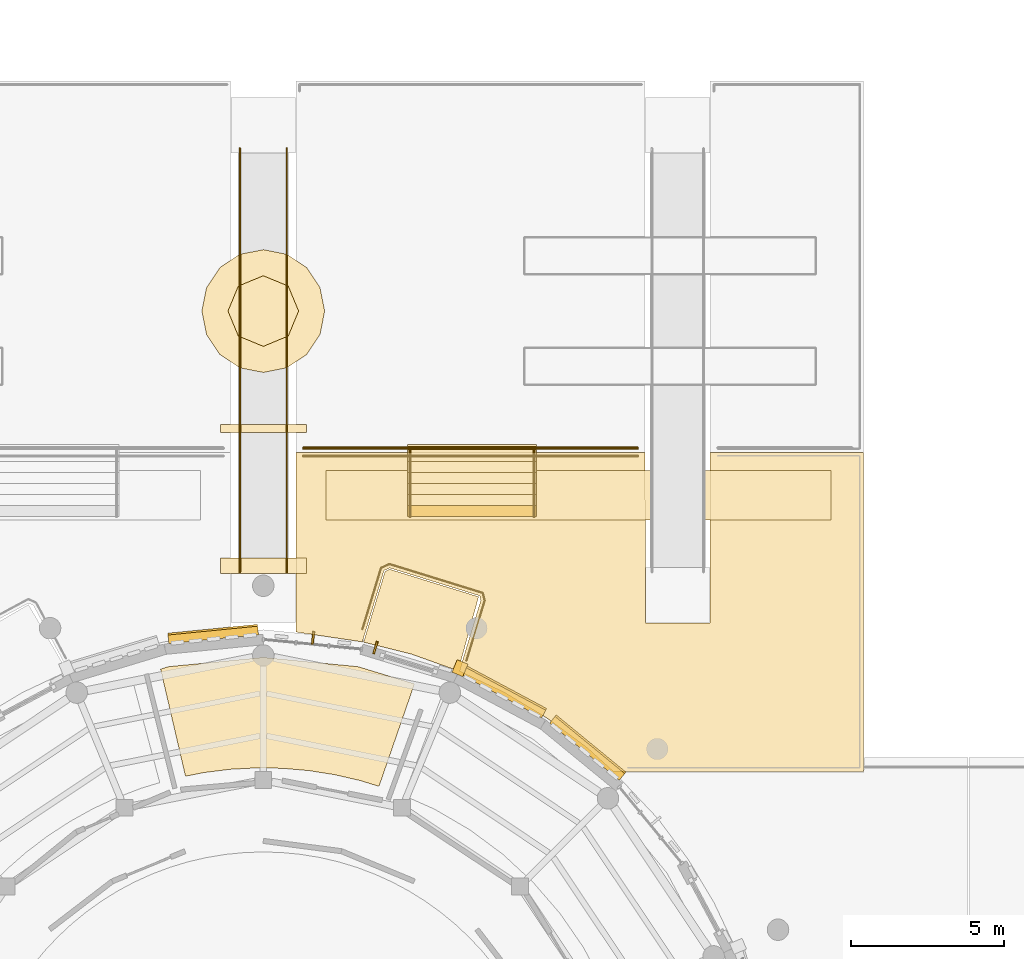
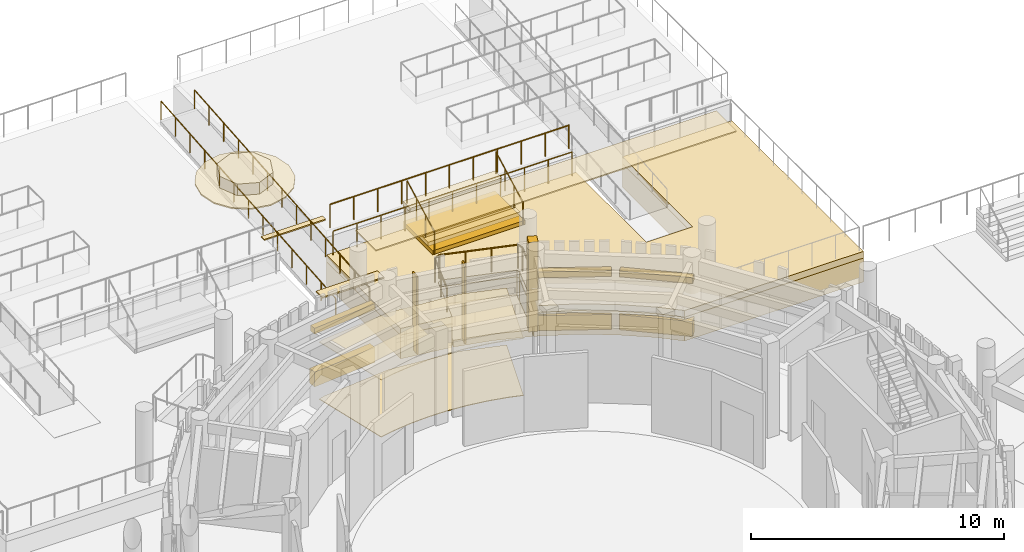
# One storey, part 79 of 94: 23 coverings, 8 railings, 2 shading devices.
"""IFC4 building model written with IfcOpenShell, lengths in metres."""

from ifc_helpers import new_model, si_unit, direction, frame, origin, origin_2d, place, context, subcontext, project, spatial, polyline, rectangle, circle, outline, extrude, material, layer, layer_set, type_object, element, save


model = new_model("IFC4")

# Units and contexts
model_context = context("Model", 3, precision=1e-05, world=origin(), true_north=direction((0.0, 1.0)))
body_context = subcontext(model_context, "Body", "Model", "MODEL_VIEW")
ifc_project = project(units=[si_unit("LENGTHUNIT", "METRE"), si_unit("AREAUNIT", "SQUARE_METRE"), si_unit("VOLUMEUNIT", "CUBIC_METRE"), si_unit("PLANEANGLEUNIT", "RADIAN"), si_unit("MASSUNIT", "GRAM", prefix="KILO")], contexts=[model_context])

# Site, building, storey
site_placement = place(None, origin())
site = spatial("IfcSite", under=ifc_project, at=site_placement, CompositionType="ELEMENT")
building_placement = place(site_placement, origin())
building = spatial("IfcBuilding", under=site, at=building_placement, Name="Aldenvaro Health Centre", CompositionType="ELEMENT")
storey_placement = place(building_placement, origin())
storey = spatial("IfcBuildingStorey", under=building, at=storey_placement, Name="L00", CompositionType="ELEMENT", Elevation=0.0)

# Coverings
ifc_material_1 = material(Name="Perforated Douglas Fir Slatted Ceiling")
ifc_layer_1 = layer(ifc_material_1, 0.031982421875, Name="Perforated Douglas Fir Slatted Ceiling")
ifc_layer_set_1 = layer_set([ifc_layer_1], Name="Perforated Douglas Fir Slatted Ceiling")
covering_type_1 = type_object("IfcCoveringType", Name="COV-CLG-WD32", PredefinedType="CEILING", material=ifc_layer_set_1)
covering_1_placement = place(storey_placement, frame((0.0, 0.0, 2.75)))
element("IfcCovering", 1, at=covering_1_placement, inside=storey, type_object=covering_type_1, Name="D1-L00-R02 Suspended Ceiling", PredefinedType="CEILING", context=body_context, shape_type="SweptSolid", body=[
    extrude(outline(polyline([(90.18603515625, 31.797119140625), (90.169921875, 31.802001953125), (89.35009765625, 31.991943359375), (89.333984375, 31.9951171875), (88.5029296875, 32.126953125), (88.486083984375, 32.12890625), (87.64794921875, 32.202880859375), (87.631103515625, 32.2041015625), (86.7900390625, 32.218017578125), (86.77294921875, 32.218017578125), (85.93310546875, 32.173095703125), (85.916015625, 32.172119140625), (85.0810546875, 32.068115234375), (85.06396484375, 32.06591796875), (84.466064453125, 31.947998046875), (83.654052734375, 35.43603515625), (83.9140625, 35.514892578125), (87.0, 35.818115234375), (90.0859375, 35.514892578125), (91.925048828125, 34.95703125), (90.76904296875, 31.617919921875), (90.18603515625, 31.797119140625)])), origin(), (0.0, 0.0, 1.0), 0.031982421875),
])
ifc_material_2 = material(Name="Honed Sonoran Buff Limestone", Category="masonry")
ifc_layer_2 = layer(ifc_material_2, 0.280029296875, Name="Honed Sonoran Buff Limestone", Category="masonry")
ifc_layer_set_2 = layer_set([ifc_layer_2], Name="Honed Sonoran Buff Limestone")
covering_type_2 = type_object("IfcCoveringType", Name="COV-CRN-STN", PredefinedType="CLADDING", material=ifc_layer_set_2)
covering_2_placement = place(storey_placement, frame((85.366943359375, 36.5810546875, 0.0), z_axis=(0.0, 0.0, 1.0), x_axis=(0.995186971968, 0.097994340783, 0.0)))
element("IfcCovering", 2, at=covering_2_placement, inside=storey, type_object=covering_type_2, Name="D1 L00 Rusticated Limestone Plinth 24.1", PredefinedType="CLADDING", context=body_context, shape_type="SweptSolid", body=[
    extrude(rectangle(XDim=2.93408203125, YDim=0.340087890625, at=origin_2d()), origin(), (0.0, 0.0, 1.0), 0.719970703125),
])
covering_3_placement = place(storey_placement, frame((85.3701171875, 36.551025390625, 2.5498046875), z_axis=(0.0, 0.0, 1.0), x_axis=(0.995186971968, 0.097994340783, 0.0)))
element("IfcCovering", 3, at=covering_3_placement, inside=storey, type_object=covering_type_2, Name="D1 L00 Rusticated Limestone Plinth 24.2", PredefinedType="CLADDING", context=body_context, shape_type="SweptSolid", body=[
    extrude(rectangle(XDim=2.93408203125, YDim=0.280029296875, at=origin_2d()), origin(), (0.0, 0.0, 1.0), 0.280029296875),
])
covering_4_placement = place(storey_placement, frame((94.85400390625, 34.694091796875, 0.0), z_axis=(0.0, 0.0, 1.0), x_axis=(0.88183578132, -0.471556629455, 0.0)))
element("IfcCovering", 4, at=covering_4_placement, inside=storey, type_object=covering_type_2, Name="D1 L00 Rusticated Limestone Plinth 27.1", PredefinedType="CLADDING", context=body_context, shape_type="SweptSolid", body=[
    extrude(rectangle(XDim=2.93505859375, YDim=0.340087890625, at=origin_2d()), origin(), (0.0, 0.0, 1.0), 0.719970703125),
])
covering_5_placement = place(storey_placement, frame((94.840087890625, 34.6669921875, 2.5498046875), z_axis=(0.0, 0.0, 1.0), x_axis=(0.88183578132, -0.471556629455, 0.0)))
element("IfcCovering", 5, at=covering_5_placement, inside=storey, type_object=covering_type_2, Name="D1 L00 Rusticated Limestone Plinth 27.2", PredefinedType="CLADDING", context=body_context, shape_type="SweptSolid", body=[
    extrude(rectangle(XDim=2.93505859375, YDim=0.280029296875, at=origin_2d()), origin(), (0.0, 0.0, 1.0), 0.280029296875),
])
covering_6_placement = place(storey_placement, frame((93.406005859375, 35.466064453125, -0.00048828125), z_axis=(0.0, 0.0, 1.0), x_axis=(0.382674902345, 0.923883065715, 0.0)))
element("IfcCovering", 6, at=covering_6_placement, inside=storey, type_object=covering_type_2, Name="D1 L00 Engaged Classical Limestone Pilaster 14", PredefinedType="CLADDING", context=body_context, shape_type="SweptSolid", body=[
    extrude(rectangle(XDim=0.43994140625, YDim=0.3798828125, at=origin_2d()), origin(), (0.0, 0.0, 1.0), 4.304931640625),
])
covering_7_placement = place(storey_placement, frame((97.570068359375, 32.87890625, 0.0), z_axis=(0.0, 0.0, 1.0), x_axis=(0.773194586776, -0.634168850528, 0.0)))
element("IfcCovering", 7, at=covering_7_placement, inside=storey, type_object=covering_type_2, Name="D1 L00 Rusticated Limestone Plinth 28.1", PredefinedType="CLADDING", context=body_context, shape_type="SweptSolid", body=[
    extrude(rectangle(XDim=2.93505859375, YDim=0.340087890625, at=origin_2d()), origin(), (0.0, 0.0, 1.0), 0.719970703125),
])
covering_8_placement = place(storey_placement, frame((97.551025390625, 32.85595703125, 2.5498046875), z_axis=(0.0, 0.0, 1.0), x_axis=(0.773194586776, -0.634168850528, 0.0)))
element("IfcCovering", 8, at=covering_8_placement, inside=storey, type_object=covering_type_2, Name="D1 L00 Rusticated Limestone Plinth 28.2", PredefinedType="CLADDING", context=body_context, shape_type="SweptSolid", body=[
    extrude(rectangle(XDim=2.93505859375, YDim=0.280029296875, at=origin_2d()), origin(), (0.0, 0.0, 1.0), 0.280029296875),
])
covering_9_placement = place(storey_placement, frame((0.0, 0.0, -0.320068359375)))
element("IfcCovering", 9, at=covering_9_placement, inside=storey, type_object=covering_type_2, Name="Lower Foothill Wing and Amphitheatre Court Terrace Rusticated Foothill Stone Plinth 3", PredefinedType="CLADDING", context=body_context, shape_type="SweptSolid", body=[
    extrude(outline(polyline([(88.06005859375, 36.64501953125), (88.06005859375, 42.5), (99.43994140625, 42.5), (99.449951171875, 36.93994140625), (101.55908203125, 36.946044921875), (101.56005859375, 42.5), (106.550048828125, 42.5), (106.550048828125, 32.10009765625), (98.39794921875, 32.10009765625), (97.555908203125, 32.863037109375), (96.2451171875, 33.8359375), (94.843994140625, 34.675048828125), (93.385009765625, 35.364990234375), (94.0859375, 37.676025390625), (94.048095703125, 37.824951171875), (91.114990234375, 38.73291015625), (90.93310546875, 38.64697265625), (90.22705078125, 36.322998046875), (88.06005859375, 36.64501953125)])), origin(), (0.0, 0.0, 1.0), 1.150146484375),
])
covering_10_placement = place(storey_placement, frame((0.0, 0.0, -0.320068359375)))
element("IfcCovering", 10, at=covering_10_placement, inside=storey, type_object=covering_type_2, Name="Classical Terrace Grand Stair GST-C4 Solid Stone Carriage", PredefinedType="CLADDING", context=body_context, shape_type="SweptSolid", body=[
    extrude(outline(polyline([(91.699951171875, 40.39990234375), (95.89990234375, 40.39990234375), (95.89990234375, 42.760009765625), (91.699951171875, 42.760009765625), (91.699951171875, 40.39990234375)])), origin(), (0.0, 0.0, 1.0), 1.662109375),
])
ifc_material_3 = material(Name="Honed Arizona Limestone Flooring", Category="masonry")
ifc_layer_3 = layer(ifc_material_3, 0.030029296875, Name="Honed Arizona Limestone Flooring", Category="masonry")
ifc_layer_set_3 = layer_set([ifc_layer_3], Name="Honed Arizona Limestone Flooring")
covering_type_3 = type_object("IfcCoveringType", Name="COV-FLR-STN30", PredefinedType="FLOORING", material=ifc_layer_set_3)
covering_11_placement = place(storey_placement, origin())
element("IfcCovering", 11, at=covering_11_placement, inside=storey, type_object=covering_type_3, Name="D1-L00-R02 Flooring", PredefinedType="FLOORING", context=body_context, shape_type="SweptSolid", body=[
    extrude(outline(polyline([(90.18603515625, 31.797119140625), (90.169921875, 31.802001953125), (89.35009765625, 31.991943359375), (89.333984375, 31.9951171875), (88.5029296875, 32.126953125), (88.486083984375, 32.12890625), (87.64794921875, 32.202880859375), (87.631103515625, 32.2041015625), (86.7900390625, 32.218017578125), (86.77294921875, 32.218017578125), (85.93310546875, 32.173095703125), (85.916015625, 32.172119140625), (85.0810546875, 32.068115234375), (85.06396484375, 32.06591796875), (84.466064453125, 31.947998046875), (83.654052734375, 35.43603515625), (83.9140625, 35.514892578125), (87.0, 35.818115234375), (90.0859375, 35.514892578125), (91.925048828125, 34.95703125), (90.76904296875, 31.617919921875), (90.18603515625, 31.797119140625)])), origin(), (0.0, 0.0, 1.0), 0.030029296875),
])
ifc_material_4 = material(Name="Rusticated Sonoran Planter Stone", Category="masonry")
ifc_layer_4 = layer(ifc_material_4, 0.3798828125, Name="Rusticated Sonoran Planter Stone", Category="masonry")
ifc_layer_set_4 = layer_set([ifc_layer_4], Name="Rusticated Sonoran Planter Stone")
covering_type_4 = type_object("IfcCoveringType", Name="COV-GDN-BED", PredefinedType="CLADDING", material=ifc_layer_set_4)
covering_12_placement = place(storey_placement, frame((0.0, 0.0, 2.360107421875)))
element("IfcCovering", 12, at=covering_12_placement, inside=storey, type_object=covering_type_4, Name="Therapy Garden Octagonal Water Basin", PredefinedType="CLADDING", context=body_context, shape_type="SweptSolid", body=[
    extrude(outline(polyline([(88.14990234375, 47.10009765625), (87.81298828125, 47.9130859375), (87.0, 48.25), (86.18701171875, 47.9130859375), (85.85009765625, 47.10009765625), (86.18701171875, 46.287109375), (87.0, 45.949951171875), (87.81298828125, 46.287109375), (88.14990234375, 47.10009765625)])), origin(), (0.0, 0.0, 1.0), 0.559814453125),
])
ifc_material_5 = material(Name="Honed Arizona Limestone Walk", Category="masonry")
ifc_layer_5 = layer(ifc_material_5, 0.06005859375, Name="Honed Arizona Limestone Walk", Category="masonry")
ifc_layer_set_5 = layer_set([ifc_layer_5], Name="Honed Arizona Limestone Walk")
covering_type_5 = type_object("IfcCoveringType", Name="COV-GDN-PATH", PredefinedType="FLOORING", material=ifc_layer_set_5)
covering_13_placement = place(storey_placement, frame((0.0, 0.0, 2.300048828125)))
element("IfcCovering", 13, at=covering_13_placement, inside=storey, type_object=covering_type_5, Name="Central Therapy Garden Rond-Point Plaza", PredefinedType="FLOORING", context=body_context, shape_type="SweptSolid", body=[
    extrude(outline(polyline([(89.0, 47.10009765625), (88.847900390625, 47.864990234375), (88.4140625, 48.513916015625), (87.764892578125, 48.947998046875), (87.0, 49.10009765625), (86.235107421875, 48.947998046875), (85.5859375, 48.513916015625), (85.152099609375, 47.864990234375), (85.0, 47.10009765625), (85.152099609375, 46.3349609375), (85.5859375, 45.68603515625), (86.235107421875, 45.251953125), (87.0, 45.10009765625), (87.764892578125, 45.251953125), (88.4140625, 45.68603515625), (88.847900390625, 46.3349609375), (89.0, 47.10009765625)])), origin(), (0.0, 0.0, 1.0), 0.06005859375),
])
covering_14_placement = place(storey_placement, frame((0.0, 0.0, 2.300048828125)))
element("IfcCovering", 14, at=covering_14_placement, inside=storey, type_object=covering_type_5, Name="Therapy Garden Axial Promenade N", PredefinedType="FLOORING", context=body_context, shape_type="SweptSolid", body=[
    extrude(outline(polyline([(88.39990234375, 43.14990234375), (88.39990234375, 43.39990234375), (85.60009765625, 43.39990234375), (85.60009765625, 43.14990234375), (88.39990234375, 43.14990234375)])), origin(), (0.0, 0.0, 1.0), 0.06005859375),
])
covering_15_placement = place(storey_placement, frame((0.0, 0.0, 2.300048828125)))
element("IfcCovering", 15, at=covering_15_placement, inside=storey, type_object=covering_type_5, Name="Therapy Garden Axial Promenade S", PredefinedType="FLOORING", context=body_context, shape_type="SweptSolid", body=[
    extrude(outline(polyline([(88.39990234375, 38.550048828125), (88.39990234375, 39.050048828125), (85.60009765625, 39.050048828125), (85.60009765625, 38.550048828125), (88.39990234375, 38.550048828125)])), origin(), (0.0, 0.0, 1.0), 0.06005859375),
])
covering_16_placement = place(storey_placement, frame((0.0, 0.0, 2.300048828125)))
element("IfcCovering", 16, at=covering_16_placement, inside=storey, type_object=covering_type_5, Name="Therapy Garden Axial Promenade E", PredefinedType="FLOORING", context=body_context, shape_type="SweptSolid", body=[
    extrude(outline(polyline([(105.5, 40.300048828125), (105.5, 41.89990234375), (89.050048828125, 41.89990234375), (89.050048828125, 40.300048828125), (105.5, 40.300048828125)])), origin(), (0.0, 0.0, 1.0), 0.06005859375),
])
ifc_material_6 = material(Name="Honed Sonoran Buff Travertine", Category="masonry")
ifc_layer_6 = layer(ifc_material_6, 0.320068359375, Name="Honed Sonoran Buff Travertine", Category="masonry")
ifc_layer_set_6 = layer_set([ifc_layer_6], Name="Honed Sonoran Buff Travertine")
covering_type_6 = type_object("IfcCoveringType", Name="COV-POD-320", PredefinedType="FLOORING", material=ifc_layer_set_6)
covering_17_placement = place(storey_placement, frame((0.0, 0.0, -0.320068359375)))
element("IfcCovering", 17, at=covering_17_placement, inside=storey, type_object=covering_type_6, Name="South Street Entrance Stylobate Forecourt Section 17", PredefinedType="FLOORING", context=body_context, shape_type="SweptSolid", body=[
    extrude(outline(polyline([(90.966064453125, 38.617919921875), (91.117919921875, 38.68994140625), (94.014892578125, 37.7939453125), (93.347900390625, 35.3798828125), (91.830078125, 35.923095703125), (90.26708984375, 36.31494140625), (90.966064453125, 38.617919921875)])), origin(), (0.0, 0.0, 1.0), 0.320068359375),
])
covering_18_placement = place(storey_placement, frame((0.0, 0.0, 0.830078125)))
element("IfcCovering", 18, at=covering_18_placement, inside=storey, type_object=covering_type_6, Name="Lower Foothill Wing and Amphitheatre Court Terrace Coping Deck 3", PredefinedType="FLOORING", context=body_context, shape_type="SweptSolid", body=[
    extrude(outline(polyline([(88.06005859375, 36.64501953125), (88.06005859375, 42.5), (99.43994140625, 42.5), (99.449951171875, 36.93994140625), (101.55908203125, 36.946044921875), (101.56005859375, 42.5), (106.550048828125, 42.5), (106.550048828125, 32.10009765625), (98.39794921875, 32.10009765625), (97.555908203125, 32.863037109375), (96.2451171875, 33.8359375), (94.843994140625, 34.675048828125), (93.385009765625, 35.364990234375), (94.0859375, 37.676025390625), (94.048095703125, 37.824951171875), (91.114990234375, 38.73291015625), (90.93310546875, 38.64697265625), (90.22705078125, 36.322998046875), (88.06005859375, 36.64501953125)])), origin(), (0.0, 0.0, 1.0), 0.31982421875),
])
covering_19_placement = place(storey_placement, frame((0.0, 0.0, 1.342041015625)))
element("IfcCovering", 19, at=covering_19_placement, inside=storey, type_object=covering_type_6, Name="Classical Terrace Grand Stair GST-C4 Stone Step 2", PredefinedType="FLOORING", context=body_context, shape_type="SweptSolid", body=[
    extrude(outline(polyline([(91.699951171875, 40.760009765625), (95.89990234375, 40.760009765625), (95.89990234375, 42.760009765625), (91.699951171875, 42.760009765625), (91.699951171875, 40.760009765625)])), origin(), (0.0, 0.0, 1.0), 0.19091796875),
])
covering_20_placement = place(storey_placement, frame((0.0, 0.0, 1.532958984375)))
element("IfcCovering", 20, at=covering_20_placement, inside=storey, type_object=covering_type_6, Name="Classical Terrace Grand Stair GST-C4 Stone Step 3", PredefinedType="FLOORING", context=body_context, shape_type="SweptSolid", body=[
    extrude(outline(polyline([(91.699951171875, 41.1201171875), (95.89990234375, 41.1201171875), (95.89990234375, 42.760009765625), (91.699951171875, 42.760009765625), (91.699951171875, 41.1201171875)])), origin(), (0.0, 0.0, 1.0), 0.192138671875),
])
covering_21_placement = place(storey_placement, frame((0.0, 0.0, 1.72509765625)))
element("IfcCovering", 21, at=covering_21_placement, inside=storey, type_object=covering_type_6, Name="Classical Terrace Grand Stair GST-C4 Stone Step 4", PredefinedType="FLOORING", context=body_context, shape_type="SweptSolid", body=[
    extrude(outline(polyline([(91.699951171875, 41.47998046875), (95.89990234375, 41.47998046875), (95.89990234375, 42.760009765625), (91.699951171875, 42.760009765625), (91.699951171875, 41.47998046875)])), origin(), (0.0, 0.0, 1.0), 0.19189453125),
])
covering_22_placement = place(storey_placement, frame((0.0, 0.0, 1.9169921875)))
element("IfcCovering", 22, at=covering_22_placement, inside=storey, type_object=covering_type_6, Name="Classical Terrace Grand Stair GST-C4 Stone Step 5", PredefinedType="FLOORING", context=body_context, shape_type="SweptSolid", body=[
    extrude(outline(polyline([(91.699951171875, 41.840087890625), (95.89990234375, 41.840087890625), (95.89990234375, 42.760009765625), (91.699951171875, 42.760009765625), (91.699951171875, 41.840087890625)])), origin(), (0.0, 0.0, 1.0), 0.19091796875),
])
covering_23_placement = place(storey_placement, frame((0.0, 0.0, 2.10791015625)))
element("IfcCovering", 23, at=covering_23_placement, inside=storey, type_object=covering_type_6, Name="Classical Terrace Grand Stair GST-C4 Stone Step 6", PredefinedType="FLOORING", context=body_context, shape_type="SweptSolid", body=[
    extrude(outline(polyline([(91.699951171875, 42.199951171875), (95.89990234375, 42.199951171875), (95.89990234375, 42.760009765625), (91.699951171875, 42.760009765625), (91.699951171875, 42.199951171875)])), origin(), (0.0, 0.0, 1.0), 0.192138671875),
])

# Railings
ifc_material_7 = material(Name="Painted Architectural Steel", Category="steel")
railing_type_1 = type_object("IfcRailingType", Name="RL-BAL-110", PredefinedType="GUARDRAIL", material=ifc_material_7)
railing_1_placement = place(storey_placement, frame((88.300048828125, 42.64990234375, 2.300048828125)))
element("IfcRailing", 24, at=railing_1_placement, inside=storey, type_object=railing_type_1, Name="Stepped Garden Terrace Balustrade T3N-3", PredefinedType="GUARDRAIL", context=body_context, shape_type="SweptSolid", body=[
    extrude(circle(Radius=0.02392578125, at=origin_2d()), frame((0.0, 0.0, 1.09619140625), z_axis=(1.0, 0.0, 0.0), x_axis=(0.0, 1.0, 0.0)), (0.0, 0.0, 1.0), 10.89990234375),
    extrude(circle(Radius=0.02099609375, at=origin_2d()), origin(), (0.0, 0.0, 1.0), 1.072021484375),
    extrude(circle(Radius=0.02099609375, at=origin_2d()), frame((1.090087890625, 0.0, 0.0)), (0.0, 0.0, 1.0), 1.072021484375),
    extrude(circle(Radius=0.02099609375, at=origin_2d()), frame((2.179931640625, 0.0, 0.0)), (0.0, 0.0, 1.0), 1.072021484375),
    extrude(circle(Radius=0.02099609375, at=origin_2d()), frame((3.27001953125, 0.0, 0.0)), (0.0, 0.0, 1.0), 1.072021484375),
    extrude(circle(Radius=0.02099609375, at=origin_2d()), frame((4.35986328125, 0.0, 0.0)), (0.0, 0.0, 1.0), 1.072021484375),
    extrude(circle(Radius=0.02099609375, at=origin_2d()), frame((5.449951171875, 0.0, 0.0)), (0.0, 0.0, 1.0), 1.072021484375),
    extrude(circle(Radius=0.02099609375, at=origin_2d()), frame((6.5400390625, 0.0, 0.0)), (0.0, 0.0, 1.0), 1.072021484375),
    extrude(circle(Radius=0.02099609375, at=origin_2d()), frame((7.6298828125, 0.0, 0.0)), (0.0, 0.0, 1.0), 1.072021484375),
    extrude(circle(Radius=0.02099609375, at=origin_2d()), frame((8.719970703125, 0.0, 0.0)), (0.0, 0.0, 1.0), 1.072021484375),
    extrude(circle(Radius=0.02099609375, at=origin_2d()), frame((9.809814453125, 0.0, 0.0)), (0.0, 0.0, 1.0), 1.072021484375),
    extrude(circle(Radius=0.02099609375, at=origin_2d()), frame((10.89990234375, 0.0, 0.0)), (0.0, 0.0, 1.0), 1.072021484375),
])
for number, where, name in (
    (25, (91.780029296875, 40.39990234375, 1.14990234375), "Classical Terrace Grand Stair GST-C4 Balustrade W"),
    (26, (95.820068359375, 40.39990234375, 1.14990234375), "Classical Terrace Grand Stair GST-C4 Balustrade E"),
):
    element("IfcRailing", number, at=place(storey_placement, frame(where)), inside=storey, type_object=railing_type_1, Name=name, PredefinedType="GUARDRAIL", context=body_context, shape_type="SweptSolid", body=[
        extrude(circle(Radius=0.02392578125, at=origin_2d()), frame((0.0, 0.0, 1.076171875), z_axis=(0.0, 0.882681349023, 0.469971952447), x_axis=(-1.0, 0.0, 0.0)), (0.0, 0.0, 1.0), 2.447265625),
        extrude(circle(Radius=0.02099609375, at=origin_2d()), origin(), (0.0, 0.0, 1.0), 1.052001953125),
        extrude(circle(Radius=0.02099609375, at=origin_2d()), frame((0.0, 0.719970703125, 0.38330078125)), (0.0, 0.0, 1.0), 1.052001953125),
        extrude(circle(Radius=0.02099609375, at=origin_2d()), frame((0.0, 1.440185546875, 0.766845703125)), (0.0, 0.0, 1.0), 1.052001953125),
        extrude(circle(Radius=0.02099609375, at=origin_2d()), frame((0.0, 2.16015625, 1.150146484375)), (0.0, 0.0, 1.0), 1.052001953125),
    ])
railing_type_2 = type_object("IfcRailingType", Name="RL-BAL-115", PredefinedType="GUARDRAIL", material=ifc_material_7)
railing_2_placement = place(storey_placement, frame((88.300048828125, 42.3798828125, 1.14990234375)))
element("IfcRailing", 27, at=railing_2_placement, inside=storey, type_object=railing_type_2, Name="Lower Foothill Wing and Amphitheatre Court Terrace Classical Balustrade 3", PredefinedType="GUARDRAIL", context=body_context, shape_type="SweptSolid", body=[
    extrude(circle(Radius=0.02392578125, at=origin_2d()), frame((0.0, 0.0, 1.1357421875), z_axis=(1.0, 0.0, 0.0), x_axis=(0.0, 1.0, 0.0)), (0.0, 0.0, 1.0), 10.89990234375),
    extrude(circle(Radius=0.02099609375, at=origin_2d()), origin(), (0.0, 0.0, 1.0), 1.11181640625),
    extrude(circle(Radius=0.02099609375, at=origin_2d()), frame((1.090087890625, 0.0, 0.0)), (0.0, 0.0, 1.0), 1.11181640625),
    extrude(circle(Radius=0.02099609375, at=origin_2d()), frame((2.179931640625, 0.0, 0.0)), (0.0, 0.0, 1.0), 1.11181640625),
    extrude(circle(Radius=0.02099609375, at=origin_2d()), frame((3.27001953125, 0.0, 0.0)), (0.0, 0.0, 1.0), 1.11181640625),
    extrude(circle(Radius=0.02099609375, at=origin_2d()), frame((4.35986328125, 0.0, 0.0)), (0.0, 0.0, 1.0), 1.11181640625),
    extrude(circle(Radius=0.02099609375, at=origin_2d()), frame((5.449951171875, 0.0, 0.0)), (0.0, 0.0, 1.0), 1.11181640625),
    extrude(circle(Radius=0.02099609375, at=origin_2d()), frame((6.5400390625, 0.0, 0.0)), (0.0, 0.0, 1.0), 1.11181640625),
    extrude(circle(Radius=0.02099609375, at=origin_2d()), frame((7.6298828125, 0.0, 0.0)), (0.0, 0.0, 1.0), 1.11181640625),
    extrude(circle(Radius=0.02099609375, at=origin_2d()), frame((8.719970703125, 0.0, 0.0)), (0.0, 0.0, 1.0), 1.11181640625),
    extrude(circle(Radius=0.02099609375, at=origin_2d()), frame((9.809814453125, 0.0, 0.0)), (0.0, 0.0, 1.0), 1.11181640625),
    extrude(circle(Radius=0.02099609375, at=origin_2d()), frame((10.89990234375, 0.0, 0.0)), (0.0, 0.0, 1.0), 1.11181640625),
])
railing_3_placement = place(storey_placement, frame((93.614990234375, 35.7099609375, 1.14990234375)))
element("IfcRailing", 28, at=railing_3_placement, inside=storey, type_object=railing_type_2, Name="Lower Foothill Wing and Amphitheatre Court Terrace Classical Balustrade 5", PredefinedType="GUARDRAIL", context=body_context, shape_type="SweptSolid", body=[
    extrude(circle(Radius=0.02392578125, at=origin_2d()), frame((0.0, 0.0, 1.1357421875), z_axis=(0.290479657925, 0.956881167299, 0.0), x_axis=(-0.956881167299, 0.290479657925, 0.0)), (0.0, 0.0, 1.0), 2.051513671875),
    extrude(circle(Radius=0.02392578125, at=origin_2d()), frame((0.595947265625, 1.963134765625, 1.1357421875), z_axis=(-0.24726838161, 0.968947030263, 0.0), x_axis=(-0.968947030263, -0.24726838161, 0.0)), (0.0, 0.0, 1.0), 0.254638671875),
    extrude(circle(Radius=0.02392578125, at=origin_2d()), frame((0.532958984375, 2.2099609375, 1.1357421875), z_axis=(-0.955321978093, 0.295567112805, 0.0), x_axis=(-0.295567112805, -0.955321978093, 0.0)), (0.0, 0.0, 1.0), 3.184326171875),
    extrude(circle(Radius=0.02392578125, at=origin_2d()), frame((-2.509033203125, 3.151123046875, 1.1357421875), z_axis=(-0.904579326931, -0.426305338096, 0.0), x_axis=(0.426305338096, -0.904579326931, 0.0)), (0.0, 0.0, 1.0), 0.30078125),
    extrude(circle(Radius=0.02392578125, at=origin_2d()), frame((-2.781005859375, 3.02294921875, 1.1357421875), z_axis=(-0.29094272909, -0.95674047076, 0.0), x_axis=(0.95674047076, -0.29094272909, 0.0)), (0.0, 0.0, 1.0), 2.086181640625),
    extrude(circle(Radius=0.02099609375, at=origin_2d()), origin(), (0.0, 0.0, 1.0), 1.11181640625),
    extrude(circle(Radius=0.02099609375, at=origin_2d()), frame((0.2978515625, 0.9814453125, 0.0)), (0.0, 0.0, 1.0), 1.11181640625),
    extrude(circle(Radius=0.02099609375, at=origin_2d()), frame((0.595947265625, 1.963134765625, 0.0)), (0.0, 0.0, 1.0), 1.11181640625),
    extrude(circle(Radius=0.02099609375, at=origin_2d()), frame((0.532958984375, 2.2099609375, 0.0)), (0.0, 0.0, 1.0), 1.11181640625),
    extrude(circle(Radius=0.02099609375, at=origin_2d()), frame((-0.48095703125, 2.523681640625, 0.0)), (0.0, 0.0, 1.0), 1.11181640625),
    extrude(circle(Radius=0.02099609375, at=origin_2d()), frame((-1.4951171875, 2.83740234375, 0.0)), (0.0, 0.0, 1.0), 1.11181640625),
    extrude(circle(Radius=0.02099609375, at=origin_2d()), frame((-2.509033203125, 3.151123046875, 0.0)), (0.0, 0.0, 1.0), 1.11181640625),
    extrude(circle(Radius=0.02099609375, at=origin_2d()), frame((-2.781005859375, 3.02294921875, 0.0)), (0.0, 0.0, 1.0), 1.11181640625),
    extrude(circle(Radius=0.02099609375, at=origin_2d()), frame((-3.08447265625, 2.02490234375, 0.0)), (0.0, 0.0, 1.0), 1.11181640625),
    extrude(circle(Radius=0.02099609375, at=origin_2d()), frame((-3.387939453125, 1.027099609375, 0.0)), (0.0, 0.0, 1.0), 1.11181640625),
])
railing_4_placement = place(storey_placement, frame((99.199951171875, 42.6201171875, 2.300048828125)))
element("IfcRailing", 29, at=railing_4_placement, inside=storey, type_object=railing_type_2, Name="Upper Amphitheatre Therapy Garden Terrace Classical Balustrade 23", PredefinedType="GUARDRAIL", context=body_context, shape_type="SweptSolid", body=[
    extrude(circle(Radius=0.02392578125, at=origin_2d()), frame((0.0, 0.0, 1.1357421875), z_axis=(-1.0, 0.0, 0.0), x_axis=(0.0, -1.0, 0.0)), (0.0, 0.0, 1.0), 10.89990234375),
    extrude(circle(Radius=0.02099609375, at=origin_2d()), origin(), (0.0, 0.0, 1.0), 1.11181640625),
    extrude(circle(Radius=0.02099609375, at=origin_2d()), frame((-1.090087890625, 0.0, 0.0)), (0.0, 0.0, 1.0), 1.11181640625),
    extrude(circle(Radius=0.02099609375, at=origin_2d()), frame((-2.179931640625, 0.0, 0.0)), (0.0, 0.0, 1.0), 1.11181640625),
    extrude(circle(Radius=0.02099609375, at=origin_2d()), frame((-3.27001953125, 0.0, 0.0)), (0.0, 0.0, 1.0), 1.11181640625),
    extrude(circle(Radius=0.02099609375, at=origin_2d()), frame((-4.35986328125, 0.0, 0.0)), (0.0, 0.0, 1.0), 1.11181640625),
    extrude(circle(Radius=0.02099609375, at=origin_2d()), frame((-5.449951171875, 0.0, 0.0)), (0.0, 0.0, 1.0), 1.11181640625),
    extrude(circle(Radius=0.02099609375, at=origin_2d()), frame((-6.5400390625, 0.0, 0.0)), (0.0, 0.0, 1.0), 1.11181640625),
    extrude(circle(Radius=0.02099609375, at=origin_2d()), frame((-7.6298828125, 0.0, 0.0)), (0.0, 0.0, 1.0), 1.11181640625),
    extrude(circle(Radius=0.02099609375, at=origin_2d()), frame((-8.719970703125, 0.0, 0.0)), (0.0, 0.0, 1.0), 1.11181640625),
    extrude(circle(Radius=0.02099609375, at=origin_2d()), frame((-9.809814453125, 0.0, 0.0)), (0.0, 0.0, 1.0), 1.11181640625),
    extrude(circle(Radius=0.02099609375, at=origin_2d()), frame((-10.89990234375, 0.0, 0.0)), (0.0, 0.0, 1.0), 1.11181640625),
])
railing_type_3 = type_object("IfcRailingType", Name="RL-HND-092", PredefinedType="HANDRAIL", material=ifc_material_7)
railing_5_placement = place(storey_placement, frame((86.235107421875, 38.60009765625, 1.14990234375)))
element("IfcRailing", 30, at=railing_5_placement, inside=storey, type_object=railing_type_3, Name="Stepped Foothill Ramp 6 Handrail L", PredefinedType="HANDRAIL", context=body_context, shape_type="SweptSolid", body=[
    extrude(circle(Radius=0.02392578125, at=origin_2d()), frame((0.0, 0.0, 0.89599609375), z_axis=(0.0, 0.996544785461, 0.083057152436), x_axis=(-1.0, 0.0, 0.0)), (0.0, 0.0, 1.0), 13.84765625),
    extrude(circle(Radius=0.02099609375, at=origin_2d()), origin(), (0.0, 0.0, 1.0), 0.871826171875),
    extrude(circle(Radius=0.02099609375, at=origin_2d()), frame((0.0, 1.14990234375, 0.095947265625)), (0.0, 0.0, 1.0), 0.871826171875),
    extrude(circle(Radius=0.02099609375, at=origin_2d()), frame((0.0, 2.300048828125, 0.191650390625)), (0.0, 0.0, 1.0), 0.871826171875),
    extrude(circle(Radius=0.02099609375, at=origin_2d()), frame((0.0, 3.449951171875, 0.28759765625)), (0.0, 0.0, 1.0), 0.871826171875),
    extrude(circle(Radius=0.02099609375, at=origin_2d()), frame((0.0, 4.599853515625, 0.38330078125)), (0.0, 0.0, 1.0), 0.871826171875),
    extrude(circle(Radius=0.02099609375, at=origin_2d()), frame((0.0, 5.75, 0.479248046875)), (0.0, 0.0, 1.0), 0.871826171875),
    extrude(circle(Radius=0.02099609375, at=origin_2d()), frame((0.0, 6.89990234375, 0.5751953125)), (0.0, 0.0, 1.0), 0.871826171875),
    extrude(circle(Radius=0.02099609375, at=origin_2d()), frame((0.0, 8.0498046875, 0.6708984375)), (0.0, 0.0, 1.0), 0.871826171875),
    extrude(circle(Radius=0.02099609375, at=origin_2d()), frame((0.0, 9.199951171875, 0.766845703125)), (0.0, 0.0, 1.0), 0.871826171875),
    extrude(circle(Radius=0.02099609375, at=origin_2d()), frame((0.0, 10.349853515625, 0.862548828125)), (0.0, 0.0, 1.0), 0.871826171875),
    extrude(circle(Radius=0.02099609375, at=origin_2d()), frame((0.0, 11.499755859375, 0.95849609375)), (0.0, 0.0, 1.0), 0.871826171875),
    extrude(circle(Radius=0.02099609375, at=origin_2d()), frame((0.0, 12.64990234375, 1.05419921875)), (0.0, 0.0, 1.0), 0.871826171875),
    extrude(circle(Radius=0.02099609375, at=origin_2d()), frame((0.0, 13.7998046875, 1.150146484375)), (0.0, 0.0, 1.0), 0.871826171875),
])
railing_6_placement = place(storey_placement, frame((87.764892578125, 38.60009765625, 1.14990234375)))
element("IfcRailing", 31, at=railing_6_placement, inside=storey, type_object=railing_type_3, Name="Stepped Foothill Ramp 6 Handrail R", PredefinedType="HANDRAIL", context=body_context, shape_type="SweptSolid", body=[
    extrude(circle(Radius=0.02392578125, at=origin_2d()), frame((0.0, 0.0, 0.89599609375), z_axis=(0.0, 0.996544785461, 0.083057152436), x_axis=(-1.0, 0.0, 0.0)), (0.0, 0.0, 1.0), 13.84765625),
    extrude(circle(Radius=0.02099609375, at=origin_2d()), origin(), (0.0, 0.0, 1.0), 0.871826171875),
    extrude(circle(Radius=0.02099609375, at=origin_2d()), frame((0.0, 1.14990234375, 0.095947265625)), (0.0, 0.0, 1.0), 0.871826171875),
    extrude(circle(Radius=0.02099609375, at=origin_2d()), frame((0.0, 2.300048828125, 0.191650390625)), (0.0, 0.0, 1.0), 0.871826171875),
    extrude(circle(Radius=0.02099609375, at=origin_2d()), frame((0.0, 3.449951171875, 0.28759765625)), (0.0, 0.0, 1.0), 0.871826171875),
    extrude(circle(Radius=0.02099609375, at=origin_2d()), frame((0.0, 4.599853515625, 0.38330078125)), (0.0, 0.0, 1.0), 0.871826171875),
    extrude(circle(Radius=0.02099609375, at=origin_2d()), frame((0.0, 5.75, 0.479248046875)), (0.0, 0.0, 1.0), 0.871826171875),
    extrude(circle(Radius=0.02099609375, at=origin_2d()), frame((0.0, 6.89990234375, 0.5751953125)), (0.0, 0.0, 1.0), 0.871826171875),
    extrude(circle(Radius=0.02099609375, at=origin_2d()), frame((0.0, 8.0498046875, 0.6708984375)), (0.0, 0.0, 1.0), 0.871826171875),
    extrude(circle(Radius=0.02099609375, at=origin_2d()), frame((0.0, 9.199951171875, 0.766845703125)), (0.0, 0.0, 1.0), 0.871826171875),
    extrude(circle(Radius=0.02099609375, at=origin_2d()), frame((0.0, 10.349853515625, 0.862548828125)), (0.0, 0.0, 1.0), 0.871826171875),
    extrude(circle(Radius=0.02099609375, at=origin_2d()), frame((0.0, 11.499755859375, 0.95849609375)), (0.0, 0.0, 1.0), 0.871826171875),
    extrude(circle(Radius=0.02099609375, at=origin_2d()), frame((0.0, 12.64990234375, 1.05419921875)), (0.0, 0.0, 1.0), 0.871826171875),
    extrude(circle(Radius=0.02099609375, at=origin_2d()), frame((0.0, 13.7998046875, 1.150146484375)), (0.0, 0.0, 1.0), 0.871826171875),
])

# Shading devices
ifc_material_8 = material(Name="Douglas Fir Exterior Glulam GL28h", Category="wood")
shading_device_type_1 = type_object("IfcShadingDeviceType", Name="SHD-FIN-420", PredefinedType="USERDEFINED", material=ifc_material_8)
shading_device_1_placement = place(storey_placement, frame((90.652099609375, 36.131103515625, -0.0205078125), z_axis=(0.0, 0.0, 1.0), x_axis=(0.95697469172, -0.290171396605, 0.0)))
element("IfcShadingDevice", 32, at=shading_device_1_placement, inside=storey, type_object=shading_device_type_1, Name="D1 L00 Douglas fir fin 26.1", ObjectType="FIN", PredefinedType="USERDEFINED", context=body_context, shape_type="SweptSolid", body=[
    extrude(rectangle(XDim=0.06494140625, YDim=0.419921875, at=origin_2d()), origin(), (0.0, 0.0, 1.0), 3.698974609375),
])
shading_device_type_2 = type_object("IfcShadingDeviceType", Name="SHD-FIN-435", PredefinedType="USERDEFINED", material=ifc_material_8)
shading_device_2_placement = place(storey_placement, frame((88.6201171875, 36.450927734375, -0.0205078125), z_axis=(0.0, 0.0, 1.0), x_axis=(0.995186971968, -0.097994340783, 0.0)))
element("IfcShadingDevice", 33, at=shading_device_2_placement, inside=storey, type_object=shading_device_type_2, Name="D1 L00 vertical timber fin 25.0", ObjectType="FIN", PredefinedType="USERDEFINED", context=body_context, shape_type="SweptSolid", body=[
    extrude(rectangle(XDim=0.06494140625, YDim=0.419921875, at=origin_2d()), origin(), (0.0, 0.0, 1.0), 3.698974609375),
])

save(model, "model.ifc")
